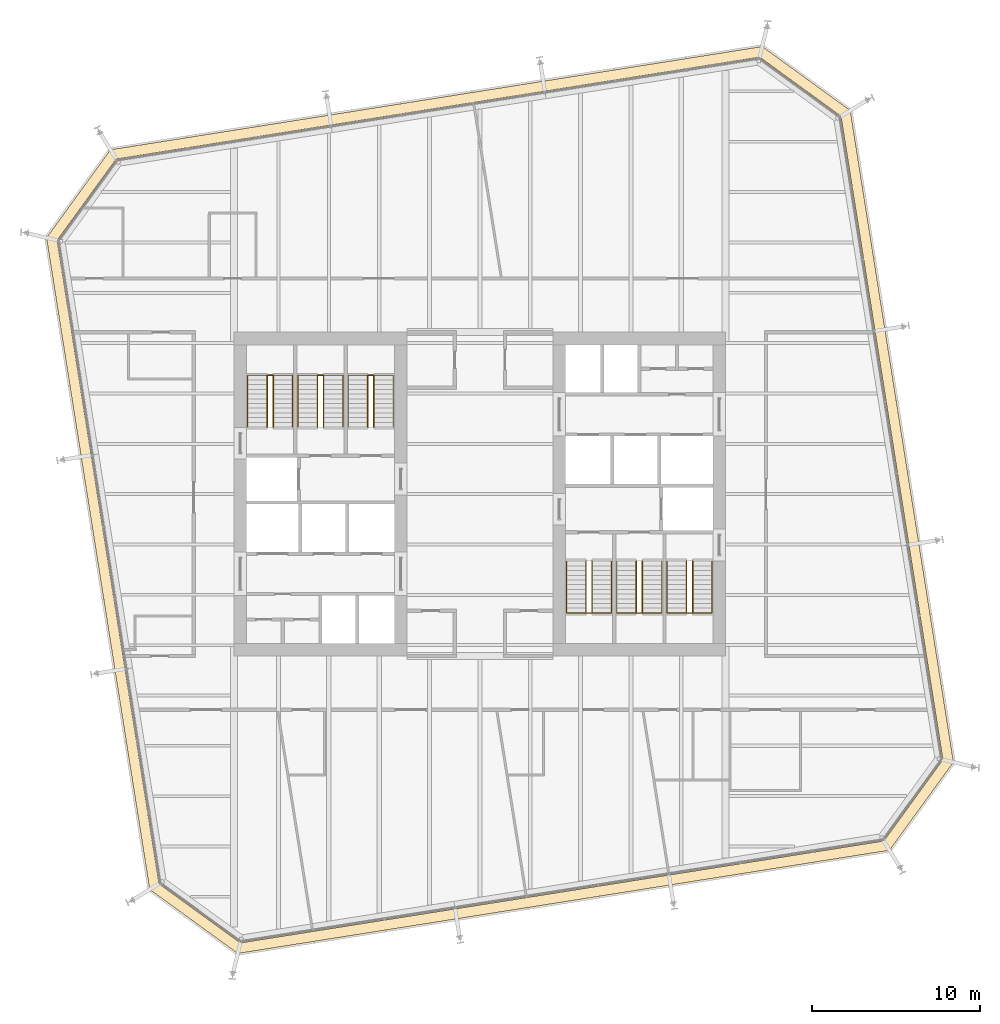
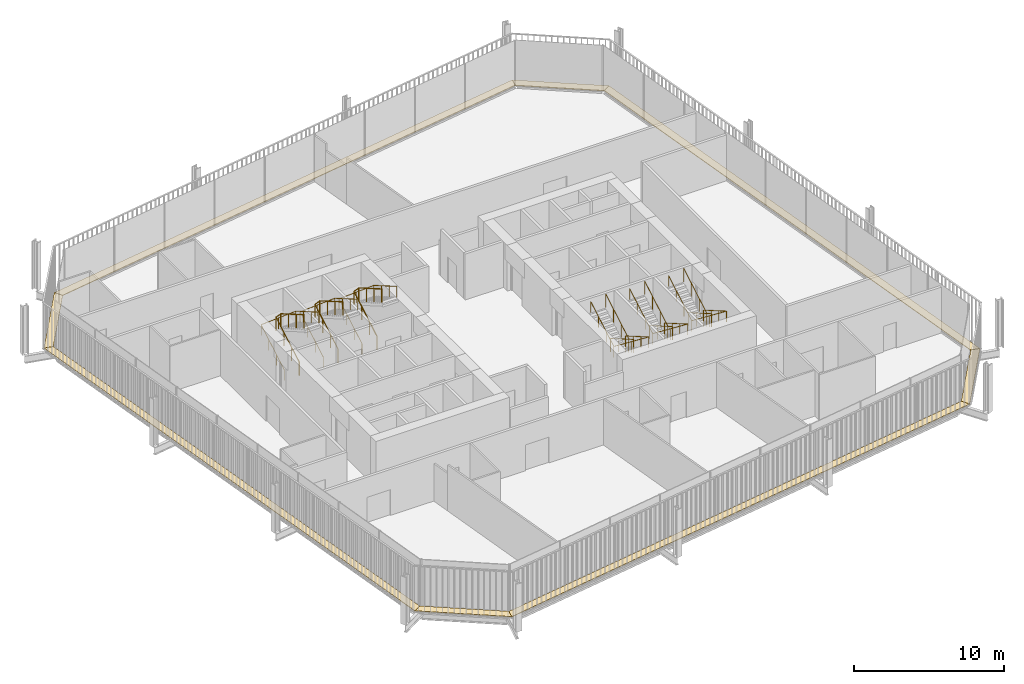
# One storey, part 21 of 21: 12 railings, 8 coverings.
"""IFC4 building model written with IfcOpenShell, lengths in metres."""

from ifc_helpers import new_model, si_unit, direction, frame, origin, origin_2d, place, context, subcontext, project, spatial, polyline, circle, outline, extrude, material, layer, layer_set, type_object, element, save


model = new_model("IFC4")

# Units and contexts
model_context = context("Model", 3, precision=1e-05, world=origin(), true_north=direction((0.0, 1.0)))
body_context = subcontext(model_context, "Body", "Model", "MODEL_VIEW")
ifc_project = project(units=[si_unit("LENGTHUNIT", "METRE"), si_unit("AREAUNIT", "SQUARE_METRE"), si_unit("VOLUMEUNIT", "CUBIC_METRE"), si_unit("PLANEANGLEUNIT", "RADIAN"), si_unit("MASSUNIT", "GRAM", prefix="KILO")], contexts=[model_context])

# Site, building, storey
site_placement = place(None, origin())
site = spatial("IfcSite", under=ifc_project, at=site_placement, CompositionType="ELEMENT")
building_placement = place(site_placement, origin())
building = spatial("IfcBuilding", under=site, at=building_placement, Name="Millrace Tower", CompositionType="ELEMENT")
storey_placement = place(building_placement, frame((0.0, 0.0, 164.60009765625)))
storey = spatial("IfcBuildingStorey", under=building, at=storey_placement, Name="L37", CompositionType="ELEMENT", Elevation=164.60009765625)

# Coverings
ifc_material_1 = material(Name="Steel ASTM A36", Category="steel")
ifc_layer = layer(ifc_material_1, 0.050048828125)
ifc_layer_set = layer_set([ifc_layer], Name="Steel ASTM A36")
covering_type = type_object("IfcCoveringType", Name="CAVITY CATWALK steel grating", PredefinedType="FLOORING", material=ifc_layer_set)
placement = place(storey_placement, frame((0.0, 0.0, 0.099853515625)))
element("IfcCovering", 1, at=placement, inside=storey, type_object=covering_type, Name="Cavity catwalk grating C-F01 L37 1", PredefinedType="FLOORING", context=body_context, shape_type="SweptSolid", body=[
    extrude(outline(polyline([(-19.67578125, -23.562255859375), (-14.425048828125, -27.376953125), (-14.2734375, -26.74560546875), (-19.1220703125, -23.222900390625), (-19.67578125, -23.562255859375)])), origin(), (0.0, 0.0, 1.0), 0.050048828125),
])
element("IfcCovering", 2, at=placement, inside=storey, type_object=covering_type, Name="Cavity catwalk grating C-F02 L37 1", PredefinedType="FLOORING", context=body_context, shape_type="SweptSolid", body=[
    extrude(outline(polyline([(-14.425048828125, -27.376953125), (24.412109375, -21.225830078125), (24.07275390625, -20.672119140625), (-14.2734375, -26.74560546875), (-14.425048828125, -27.376953125)])), origin(), (0.0, 0.0, 1.0), 0.050048828125),
])
element("IfcCovering", 3, at=placement, inside=storey, type_object=covering_type, Name="Cavity catwalk grating C-F03 L37 1", PredefinedType="FLOORING", context=body_context, shape_type="SweptSolid", body=[
    extrude(outline(polyline([(24.412109375, -21.225830078125), (28.22705078125, -15.97509765625), (27.595458984375, -15.823486328125), (24.07275390625, -20.672119140625), (24.412109375, -21.225830078125)])), origin(), (0.0, 0.0, 1.0), 0.050048828125),
])
element("IfcCovering", 4, at=placement, inside=storey, type_object=covering_type, Name="Cavity catwalk grating C-F04 L37 1", PredefinedType="FLOORING", context=body_context, shape_type="SweptSolid", body=[
    extrude(outline(polyline([(28.22705078125, -15.97509765625), (22.075927734375, 22.862060546875), (21.522216796875, 22.522705078125), (27.595458984375, -15.823486328125), (28.22705078125, -15.97509765625)])), origin(), (0.0, 0.0, 1.0), 0.050048828125),
])
element("IfcCovering", 5, at=placement, inside=storey, type_object=covering_type, Name="Cavity catwalk grating C-F05 L37 1", PredefinedType="FLOORING", context=body_context, shape_type="SweptSolid", body=[
    extrude(outline(polyline([(22.075927734375, 22.862060546875), (16.824951171875, 26.677001953125), (16.67333984375, 26.045654296875), (21.522216796875, 22.522705078125), (22.075927734375, 22.862060546875)])), origin(), (0.0, 0.0, 1.0), 0.050048828125),
])
element("IfcCovering", 6, at=placement, inside=storey, type_object=covering_type, Name="Cavity catwalk grating C-F06 L37 1", PredefinedType="FLOORING", context=body_context, shape_type="SweptSolid", body=[
    extrude(outline(polyline([(16.824951171875, 26.677001953125), (-22.01220703125, 20.52587890625), (-21.6728515625, 19.97216796875), (16.67333984375, 26.045654296875), (16.824951171875, 26.677001953125)])), origin(), (0.0, 0.0, 1.0), 0.050048828125),
])
element("IfcCovering", 7, at=placement, inside=storey, type_object=covering_type, Name="Cavity catwalk grating C-F07 L37 1", PredefinedType="FLOORING", context=body_context, shape_type="SweptSolid", body=[
    extrude(outline(polyline([(-22.01220703125, 20.52587890625), (-25.8271484375, 15.275146484375), (-25.195556640625, 15.12353515625), (-21.6728515625, 19.97216796875), (-22.01220703125, 20.52587890625)])), origin(), (0.0, 0.0, 1.0), 0.050048828125),
])
element("IfcCovering", 8, at=placement, inside=storey, type_object=covering_type, Name="Cavity catwalk grating C-F08 L37 1", PredefinedType="FLOORING", context=body_context, shape_type="SweptSolid", body=[
    extrude(outline(polyline([(-25.8271484375, 15.275146484375), (-19.67578125, -23.562255859375), (-19.1220703125, -23.222900390625), (-25.195556640625, 15.12353515625), (-25.8271484375, 15.275146484375)])), origin(), (0.0, 0.0, 1.0), 0.050048828125),
])

# Railings
ifc_material_2 = material(Name="Stainless steel ASTM A240 type 316", Category="steel")
railing_type_1 = type_object("IfcRailingType", Name="Stair guard 1100", PredefinedType="GUARDRAIL", material=ifc_material_2)
for number, where, name in (
    (9, (-12.679931640625, 4.0, 0.162353515625), "Stair guard 1 W L37"),
    (10, (-9.679931640625, 4.0, 0.162353515625), "Stair guard 2 W L37"),
    (11, (-6.679931640625, 4.0, 0.162353515625), "Stair guard 3 W L37"),
):
    element("IfcRailing", number, at=place(storey_placement, frame(where)), inside=storey, type_object=railing_type_1, Name=name, PredefinedType="GUARDRAIL", context=body_context, shape_type="SweptSolid", body=[
        extrude(circle(Radius=0.02392578125, at=origin_2d()), frame((0.0, 0.0, 1.076171875), z_axis=(0.0, 0.864890721111, 0.501960198159), x_axis=(-1.0, 0.0, 0.0)), (0.0, 0.0, 1.0), 3.561279296875),
        extrude(circle(Radius=0.02392578125, at=origin_2d()), frame((0.0, 3.080078125, 2.86376953125), z_axis=(0.91152767309, 0.0, 0.411238739895), x_axis=(0.0, 1.0, 0.0)), (0.0, 0.0, 1.0), 0.394775390625),
        extrude(circle(Radius=0.02392578125, at=origin_2d()), frame((0.35986328125, 3.080078125, 3.02587890625), z_axis=(0.0, -0.864890721111, 0.501960198159), x_axis=(1.0, 0.0, 0.0)), (0.0, 0.0, 1.0), 3.561279296875),
        extrude(circle(Radius=0.02099609375, at=origin_2d()), origin(), (0.0, 0.0, 1.0), 1.052001953125),
        extrude(circle(Radius=0.02099609375, at=origin_2d()), frame((0.0, 1.026611328125, 0.595947265625)), (0.0, 0.0, 1.0), 1.052001953125),
        extrude(circle(Radius=0.02099609375, at=origin_2d()), frame((0.0, 2.053466796875, 1.191650390625)), (0.0, 0.0, 1.0), 1.052001953125),
        extrude(circle(Radius=0.02099609375, at=origin_2d()), frame((0.0, 3.080078125, 1.78759765625)), (0.0, 0.0, 1.0), 1.052001953125),
        extrude(circle(Radius=0.02099609375, at=origin_2d()), frame((0.35986328125, 3.080078125, 1.949951171875)), (0.0, 0.0, 1.0), 1.052001953125),
        extrude(circle(Radius=0.02099609375, at=origin_2d()), frame((0.35986328125, 2.053466796875, 2.5458984375)), (0.0, 0.0, 1.0), 1.052001953125),
        extrude(circle(Radius=0.02099609375, at=origin_2d()), frame((0.35986328125, 1.026611328125, 3.1416015625)), (0.0, 0.0, 1.0), 1.052001953125),
        extrude(circle(Radius=0.02099609375, at=origin_2d()), frame((0.35986328125, 0.0, 3.737548828125)), (0.0, 0.0, 1.0), 1.052001953125),
    ])
for number, where, name in (
    (12, (12.679931640625, -4.0, 0.162353515625), "Stair guard 1 E L37"),
    (13, (9.679931640625, -4.0, 0.162353515625), "Stair guard 2 E L37"),
    (14, (6.679931640625, -4.0, 0.162353515625), "Stair guard 3 E L37"),
):
    element("IfcRailing", number, at=place(storey_placement, frame(where)), inside=storey, type_object=railing_type_1, Name=name, PredefinedType="GUARDRAIL", context=body_context, shape_type="SweptSolid", body=[
        extrude(circle(Radius=0.02392578125, at=origin_2d()), frame((0.0, 0.0, 1.076171875), z_axis=(0.0, -0.864890721111, 0.501960198159), x_axis=(1.0, 0.0, 0.0)), (0.0, 0.0, 1.0), 3.561279296875),
        extrude(circle(Radius=0.02392578125, at=origin_2d()), frame((0.0, -3.080078125, 2.86376953125), z_axis=(-0.91152767309, 0.0, 0.411238739895), x_axis=(0.0, -1.0, 0.0)), (0.0, 0.0, 1.0), 0.394775390625),
        extrude(circle(Radius=0.02392578125, at=origin_2d()), frame((-0.35986328125, -3.080078125, 3.02587890625), z_axis=(0.0, 0.864890721111, 0.501960198159), x_axis=(-1.0, 0.0, 0.0)), (0.0, 0.0, 1.0), 3.561279296875),
        extrude(circle(Radius=0.02099609375, at=origin_2d()), origin(), (0.0, 0.0, 1.0), 1.052001953125),
        extrude(circle(Radius=0.02099609375, at=origin_2d()), frame((0.0, -1.026611328125, 0.595947265625)), (0.0, 0.0, 1.0), 1.052001953125),
        extrude(circle(Radius=0.02099609375, at=origin_2d()), frame((0.0, -2.053466796875, 1.191650390625)), (0.0, 0.0, 1.0), 1.052001953125),
        extrude(circle(Radius=0.02099609375, at=origin_2d()), frame((0.0, -3.080078125, 1.78759765625)), (0.0, 0.0, 1.0), 1.052001953125),
        extrude(circle(Radius=0.02099609375, at=origin_2d()), frame((-0.35986328125, -3.080078125, 1.949951171875)), (0.0, 0.0, 1.0), 1.052001953125),
        extrude(circle(Radius=0.02099609375, at=origin_2d()), frame((-0.35986328125, -2.053466796875, 2.5458984375)), (0.0, 0.0, 1.0), 1.052001953125),
        extrude(circle(Radius=0.02099609375, at=origin_2d()), frame((-0.35986328125, -1.026611328125, 3.1416015625)), (0.0, 0.0, 1.0), 1.052001953125),
        extrude(circle(Radius=0.02099609375, at=origin_2d()), frame((-0.35986328125, 0.0, 3.737548828125)), (0.0, 0.0, 1.0), 1.052001953125),
    ])
ifc_material_3 = material(Name="Stainless steel ASTM A240 type 316", Category="steel")
railing_type_2 = type_object("IfcRailingType", Name="Stair handrail 900", PredefinedType="HANDRAIL", material=ifc_material_3)
railing_1_placement = place(storey_placement, frame((-13.840087890625, 4.0, 0.162353515625)))
element("IfcRailing", 15, at=railing_1_placement, inside=storey, type_object=railing_type_2, Name="Stair handrail 1 W L37", PredefinedType="HANDRAIL", context=body_context, shape_type="SweptSolid", body=[
    extrude(circle(Radius=0.02392578125, at=origin_2d()), frame((0.0, 0.0, 0.8759765625), z_axis=(0.0, 0.864890721111, 0.501960198159), x_axis=(-1.0, 0.0, 0.0)), (0.0, 0.0, 1.0), 3.561279296875),
    extrude(circle(Radius=0.02392578125, at=origin_2d()), frame((0.0, 3.080078125, 2.66357421875), z_axis=(0.998170326313, 0.0, 0.06046486309), x_axis=(0.0, 1.0, 0.0)), (0.0, 0.0, 1.0), 2.68505859375),
    extrude(circle(Radius=0.02392578125, at=origin_2d()), frame((2.68017578125, 3.080078125, 2.82568359375), z_axis=(0.0, -0.864890721111, 0.501960198159), x_axis=(1.0, 0.0, 0.0)), (0.0, 0.0, 1.0), 3.561279296875),
    extrude(circle(Radius=0.02099609375, at=origin_2d()), origin(), (0.0, 0.0, 1.0), 0.851806640625),
    extrude(circle(Radius=0.02099609375, at=origin_2d()), frame((0.0, 1.026611328125, 0.595947265625)), (0.0, 0.0, 1.0), 0.851806640625),
    extrude(circle(Radius=0.02099609375, at=origin_2d()), frame((0.0, 2.053466796875, 1.191650390625)), (0.0, 0.0, 1.0), 0.851806640625),
    extrude(circle(Radius=0.02099609375, at=origin_2d()), frame((0.0, 3.080078125, 1.78759765625)), (0.0, 0.0, 1.0), 0.851806640625),
    extrude(circle(Radius=0.02099609375, at=origin_2d()), frame((1.340087890625, 3.080078125, 1.86865234375)), (0.0, 0.0, 1.0), 0.851806640625),
    extrude(circle(Radius=0.02099609375, at=origin_2d()), frame((2.68017578125, 3.080078125, 1.949951171875)), (0.0, 0.0, 1.0), 0.851806640625),
    extrude(circle(Radius=0.02099609375, at=origin_2d()), frame((2.68017578125, 2.053466796875, 2.5458984375)), (0.0, 0.0, 1.0), 0.851806640625),
    extrude(circle(Radius=0.02099609375, at=origin_2d()), frame((2.68017578125, 1.026611328125, 3.1416015625)), (0.0, 0.0, 1.0), 0.851806640625),
    extrude(circle(Radius=0.02099609375, at=origin_2d()), frame((2.68017578125, 0.0, 3.737548828125)), (0.0, 0.0, 1.0), 0.851806640625),
])
railing_2_placement = place(storey_placement, frame((-10.840087890625, 4.0, 0.162353515625)))
element("IfcRailing", 16, at=railing_2_placement, inside=storey, type_object=railing_type_2, Name="Stair handrail 2 W L37", PredefinedType="HANDRAIL", context=body_context, shape_type="SweptSolid", body=[
    extrude(circle(Radius=0.02392578125, at=origin_2d()), frame((0.0, 0.0, 0.8759765625), z_axis=(0.0, 0.864890721111, 0.501960198159), x_axis=(-1.0, 0.0, 0.0)), (0.0, 0.0, 1.0), 3.561279296875),
    extrude(circle(Radius=0.02392578125, at=origin_2d()), frame((0.0, 3.080078125, 2.66357421875), z_axis=(0.998170326313, 0.0, 0.06046486309), x_axis=(0.0, 1.0, 0.0)), (0.0, 0.0, 1.0), 2.68505859375),
    extrude(circle(Radius=0.02392578125, at=origin_2d()), frame((2.68017578125, 3.080078125, 2.82568359375), z_axis=(0.0, -0.864890721111, 0.501960198159), x_axis=(1.0, 0.0, 0.0)), (0.0, 0.0, 1.0), 3.561279296875),
    extrude(circle(Radius=0.02099609375, at=origin_2d()), origin(), (0.0, 0.0, 1.0), 0.851806640625),
    extrude(circle(Radius=0.02099609375, at=origin_2d()), frame((0.0, 1.026611328125, 0.595947265625)), (0.0, 0.0, 1.0), 0.851806640625),
    extrude(circle(Radius=0.02099609375, at=origin_2d()), frame((0.0, 2.053466796875, 1.191650390625)), (0.0, 0.0, 1.0), 0.851806640625),
    extrude(circle(Radius=0.02099609375, at=origin_2d()), frame((0.0, 3.080078125, 1.78759765625)), (0.0, 0.0, 1.0), 0.851806640625),
    extrude(circle(Radius=0.02099609375, at=origin_2d()), frame((1.340087890625, 3.080078125, 1.86865234375)), (0.0, 0.0, 1.0), 0.851806640625),
    extrude(circle(Radius=0.02099609375, at=origin_2d()), frame((2.68017578125, 3.080078125, 1.949951171875)), (0.0, 0.0, 1.0), 0.851806640625),
    extrude(circle(Radius=0.02099609375, at=origin_2d()), frame((2.68017578125, 2.053466796875, 2.5458984375)), (0.0, 0.0, 1.0), 0.851806640625),
    extrude(circle(Radius=0.02099609375, at=origin_2d()), frame((2.68017578125, 1.026611328125, 3.1416015625)), (0.0, 0.0, 1.0), 0.851806640625),
    extrude(circle(Radius=0.02099609375, at=origin_2d()), frame((2.68017578125, 0.0, 3.737548828125)), (0.0, 0.0, 1.0), 0.851806640625),
])
railing_3_placement = place(storey_placement, frame((-7.840087890625, 4.0, 0.162353515625)))
element("IfcRailing", 17, at=railing_3_placement, inside=storey, type_object=railing_type_2, Name="Stair handrail 3 W L37", PredefinedType="HANDRAIL", context=body_context, shape_type="SweptSolid", body=[
    extrude(circle(Radius=0.02392578125, at=origin_2d()), frame((0.0, 0.0, 0.8759765625), z_axis=(0.0, 0.864890721111, 0.501960198159), x_axis=(-1.0, 0.0, 0.0)), (0.0, 0.0, 1.0), 3.561279296875),
    extrude(circle(Radius=0.02392578125, at=origin_2d()), frame((0.0, 3.080078125, 2.66357421875), z_axis=(0.998170326313, 0.0, 0.06046486309), x_axis=(0.0, 1.0, 0.0)), (0.0, 0.0, 1.0), 2.68505859375),
    extrude(circle(Radius=0.02392578125, at=origin_2d()), frame((2.68017578125, 3.080078125, 2.82568359375), z_axis=(0.0, -0.864890721111, 0.501960198159), x_axis=(1.0, 0.0, 0.0)), (0.0, 0.0, 1.0), 3.561279296875),
    extrude(circle(Radius=0.02099609375, at=origin_2d()), origin(), (0.0, 0.0, 1.0), 0.851806640625),
    extrude(circle(Radius=0.02099609375, at=origin_2d()), frame((0.0, 1.026611328125, 0.595947265625)), (0.0, 0.0, 1.0), 0.851806640625),
    extrude(circle(Radius=0.02099609375, at=origin_2d()), frame((0.0, 2.053466796875, 1.191650390625)), (0.0, 0.0, 1.0), 0.851806640625),
    extrude(circle(Radius=0.02099609375, at=origin_2d()), frame((0.0, 3.080078125, 1.78759765625)), (0.0, 0.0, 1.0), 0.851806640625),
    extrude(circle(Radius=0.02099609375, at=origin_2d()), frame((1.340087890625, 3.080078125, 1.86865234375)), (0.0, 0.0, 1.0), 0.851806640625),
    extrude(circle(Radius=0.02099609375, at=origin_2d()), frame((2.68017578125, 3.080078125, 1.949951171875)), (0.0, 0.0, 1.0), 0.851806640625),
    extrude(circle(Radius=0.02099609375, at=origin_2d()), frame((2.68017578125, 2.053466796875, 2.5458984375)), (0.0, 0.0, 1.0), 0.851806640625),
    extrude(circle(Radius=0.02099609375, at=origin_2d()), frame((2.68017578125, 1.026611328125, 3.1416015625)), (0.0, 0.0, 1.0), 0.851806640625),
    extrude(circle(Radius=0.02099609375, at=origin_2d()), frame((2.68017578125, 0.0, 3.737548828125)), (0.0, 0.0, 1.0), 0.851806640625),
])
railing_4_placement = place(storey_placement, frame((13.840087890625, -4.0, 0.162353515625)))
element("IfcRailing", 18, at=railing_4_placement, inside=storey, type_object=railing_type_2, Name="Stair handrail 1 E L37", PredefinedType="HANDRAIL", context=body_context, shape_type="SweptSolid", body=[
    extrude(circle(Radius=0.02392578125, at=origin_2d()), frame((0.0, 0.0, 0.8759765625), z_axis=(0.0, -0.864890721111, 0.501960198159), x_axis=(1.0, 0.0, 0.0)), (0.0, 0.0, 1.0), 3.561279296875),
    extrude(circle(Radius=0.02392578125, at=origin_2d()), frame((0.0, -3.080078125, 2.66357421875), z_axis=(-0.998170326313, 0.0, 0.06046486309), x_axis=(0.0, -1.0, 0.0)), (0.0, 0.0, 1.0), 2.68505859375),
    extrude(circle(Radius=0.02392578125, at=origin_2d()), frame((-2.68017578125, -3.080078125, 2.82568359375), z_axis=(0.0, 0.864890721111, 0.501960198159), x_axis=(-1.0, 0.0, 0.0)), (0.0, 0.0, 1.0), 3.561279296875),
    extrude(circle(Radius=0.02099609375, at=origin_2d()), origin(), (0.0, 0.0, 1.0), 0.851806640625),
    extrude(circle(Radius=0.02099609375, at=origin_2d()), frame((0.0, -1.026611328125, 0.595947265625)), (0.0, 0.0, 1.0), 0.851806640625),
    extrude(circle(Radius=0.02099609375, at=origin_2d()), frame((0.0, -2.053466796875, 1.191650390625)), (0.0, 0.0, 1.0), 0.851806640625),
    extrude(circle(Radius=0.02099609375, at=origin_2d()), frame((0.0, -3.080078125, 1.78759765625)), (0.0, 0.0, 1.0), 0.851806640625),
    extrude(circle(Radius=0.02099609375, at=origin_2d()), frame((-1.340087890625, -3.080078125, 1.86865234375)), (0.0, 0.0, 1.0), 0.851806640625),
    extrude(circle(Radius=0.02099609375, at=origin_2d()), frame((-2.68017578125, -3.080078125, 1.949951171875)), (0.0, 0.0, 1.0), 0.851806640625),
    extrude(circle(Radius=0.02099609375, at=origin_2d()), frame((-2.68017578125, -2.053466796875, 2.5458984375)), (0.0, 0.0, 1.0), 0.851806640625),
    extrude(circle(Radius=0.02099609375, at=origin_2d()), frame((-2.68017578125, -1.026611328125, 3.1416015625)), (0.0, 0.0, 1.0), 0.851806640625),
    extrude(circle(Radius=0.02099609375, at=origin_2d()), frame((-2.68017578125, 0.0, 3.737548828125)), (0.0, 0.0, 1.0), 0.851806640625),
])
railing_5_placement = place(storey_placement, frame((10.840087890625, -4.0, 0.162353515625)))
element("IfcRailing", 19, at=railing_5_placement, inside=storey, type_object=railing_type_2, Name="Stair handrail 2 E L37", PredefinedType="HANDRAIL", context=body_context, shape_type="SweptSolid", body=[
    extrude(circle(Radius=0.02392578125, at=origin_2d()), frame((0.0, 0.0, 0.8759765625), z_axis=(0.0, -0.864890721111, 0.501960198159), x_axis=(1.0, 0.0, 0.0)), (0.0, 0.0, 1.0), 3.561279296875),
    extrude(circle(Radius=0.02392578125, at=origin_2d()), frame((0.0, -3.080078125, 2.66357421875), z_axis=(-0.998170326313, 0.0, 0.06046486309), x_axis=(0.0, -1.0, 0.0)), (0.0, 0.0, 1.0), 2.68505859375),
    extrude(circle(Radius=0.02392578125, at=origin_2d()), frame((-2.68017578125, -3.080078125, 2.82568359375), z_axis=(0.0, 0.864890721111, 0.501960198159), x_axis=(-1.0, 0.0, 0.0)), (0.0, 0.0, 1.0), 3.561279296875),
    extrude(circle(Radius=0.02099609375, at=origin_2d()), origin(), (0.0, 0.0, 1.0), 0.851806640625),
    extrude(circle(Radius=0.02099609375, at=origin_2d()), frame((0.0, -1.026611328125, 0.595947265625)), (0.0, 0.0, 1.0), 0.851806640625),
    extrude(circle(Radius=0.02099609375, at=origin_2d()), frame((0.0, -2.053466796875, 1.191650390625)), (0.0, 0.0, 1.0), 0.851806640625),
    extrude(circle(Radius=0.02099609375, at=origin_2d()), frame((0.0, -3.080078125, 1.78759765625)), (0.0, 0.0, 1.0), 0.851806640625),
    extrude(circle(Radius=0.02099609375, at=origin_2d()), frame((-1.340087890625, -3.080078125, 1.86865234375)), (0.0, 0.0, 1.0), 0.851806640625),
    extrude(circle(Radius=0.02099609375, at=origin_2d()), frame((-2.68017578125, -3.080078125, 1.949951171875)), (0.0, 0.0, 1.0), 0.851806640625),
    extrude(circle(Radius=0.02099609375, at=origin_2d()), frame((-2.68017578125, -2.053466796875, 2.5458984375)), (0.0, 0.0, 1.0), 0.851806640625),
    extrude(circle(Radius=0.02099609375, at=origin_2d()), frame((-2.68017578125, -1.026611328125, 3.1416015625)), (0.0, 0.0, 1.0), 0.851806640625),
    extrude(circle(Radius=0.02099609375, at=origin_2d()), frame((-2.68017578125, 0.0, 3.737548828125)), (0.0, 0.0, 1.0), 0.851806640625),
])
railing_6_placement = place(storey_placement, frame((7.840087890625, -4.0, 0.162353515625)))
element("IfcRailing", 20, at=railing_6_placement, inside=storey, type_object=railing_type_2, Name="Stair handrail 3 E L37", PredefinedType="HANDRAIL", context=body_context, shape_type="SweptSolid", body=[
    extrude(circle(Radius=0.02392578125, at=origin_2d()), frame((0.0, 0.0, 0.8759765625), z_axis=(0.0, -0.864890721111, 0.501960198159), x_axis=(1.0, 0.0, 0.0)), (0.0, 0.0, 1.0), 3.561279296875),
    extrude(circle(Radius=0.02392578125, at=origin_2d()), frame((0.0, -3.080078125, 2.66357421875), z_axis=(-0.998170326313, 0.0, 0.06046486309), x_axis=(0.0, -1.0, 0.0)), (0.0, 0.0, 1.0), 2.68505859375),
    extrude(circle(Radius=0.02392578125, at=origin_2d()), frame((-2.68017578125, -3.080078125, 2.82568359375), z_axis=(0.0, 0.864890721111, 0.501960198159), x_axis=(-1.0, 0.0, 0.0)), (0.0, 0.0, 1.0), 3.561279296875),
    extrude(circle(Radius=0.02099609375, at=origin_2d()), origin(), (0.0, 0.0, 1.0), 0.851806640625),
    extrude(circle(Radius=0.02099609375, at=origin_2d()), frame((0.0, -1.026611328125, 0.595947265625)), (0.0, 0.0, 1.0), 0.851806640625),
    extrude(circle(Radius=0.02099609375, at=origin_2d()), frame((0.0, -2.053466796875, 1.191650390625)), (0.0, 0.0, 1.0), 0.851806640625),
    extrude(circle(Radius=0.02099609375, at=origin_2d()), frame((0.0, -3.080078125, 1.78759765625)), (0.0, 0.0, 1.0), 0.851806640625),
    extrude(circle(Radius=0.02099609375, at=origin_2d()), frame((-1.340087890625, -3.080078125, 1.86865234375)), (0.0, 0.0, 1.0), 0.851806640625),
    extrude(circle(Radius=0.02099609375, at=origin_2d()), frame((-2.68017578125, -3.080078125, 1.949951171875)), (0.0, 0.0, 1.0), 0.851806640625),
    extrude(circle(Radius=0.02099609375, at=origin_2d()), frame((-2.68017578125, -2.053466796875, 2.5458984375)), (0.0, 0.0, 1.0), 0.851806640625),
    extrude(circle(Radius=0.02099609375, at=origin_2d()), frame((-2.68017578125, -1.026611328125, 3.1416015625)), (0.0, 0.0, 1.0), 0.851806640625),
    extrude(circle(Radius=0.02099609375, at=origin_2d()), frame((-2.68017578125, 0.0, 3.737548828125)), (0.0, 0.0, 1.0), 0.851806640625),
])

save(model, "model.ifc")
